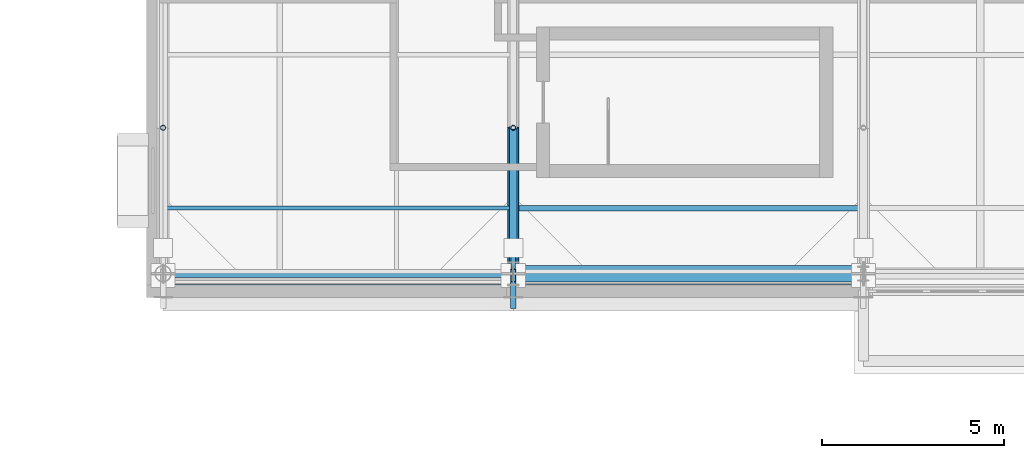
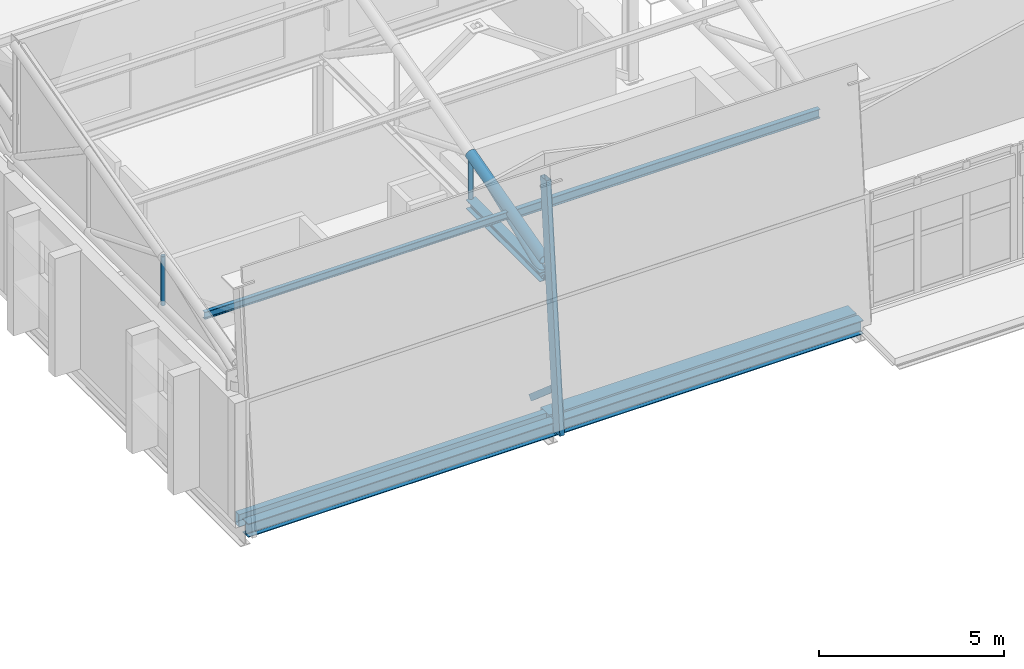
# One storey, part 14 of 89: 9 members, 4 beams.
"""IFC4 building model written with IfcOpenShell, lengths in metres."""

from ifc_helpers import new_model, si_unit, direction, frame, origin, origin_2d, place, context, subcontext, project, spatial, rectangle, hollow_rectangle, hollow_circle, i_section, extrude, material, material_profile, profile_set, type_object, element, save


model = new_model("IFC4")

# Units and contexts
model_context = context("Model", 3, precision=1e-05, world=origin(), true_north=direction((0.0, 1.0)))
body_context = subcontext(model_context, "Body", "Model", "MODEL_VIEW")
ifc_project = project(units=[si_unit("LENGTHUNIT", "METRE"), si_unit("AREAUNIT", "SQUARE_METRE"), si_unit("VOLUMEUNIT", "CUBIC_METRE"), si_unit("PLANEANGLEUNIT", "RADIAN"), si_unit("MASSUNIT", "GRAM", prefix="KILO")], contexts=[model_context])

# Site, building, storey
site_placement = place(None, origin())
site = spatial("IfcSite", under=ifc_project, at=site_placement, CompositionType="ELEMENT")
building_placement = place(site_placement, origin())
building = spatial("IfcBuilding", under=site, at=building_placement, Name="Zereglee Splitstone Museum", CompositionType="ELEMENT")
storey_placement = place(building_placement, frame((0.0, 0.0, 21.300048828125)))
storey = spatial("IfcBuildingStorey", under=building, at=storey_placement, Name="L04", CompositionType="ELEMENT", Elevation=21.300048828125)

# Members
ifc_material_1 = material(Name="Steel S355J2H", Category="steel")
ifc_material_profile_1 = material_profile(ifc_material_1, hollow_circle(Radius=0.109619140625, WallThickness=0.010009765625, at=origin_2d()), Name="CHS 219.1x10")
ifc_profile_set_1 = profile_set([ifc_material_profile_1], Name="Steel S355J2H")
member_type_1 = type_object("IfcMemberType", Name="TB-03", PredefinedType="BRACE", material=ifc_profile_set_1)
member_1_placement = place(storey_placement, frame((87.60009765625, 9.60009765625, 4.199951171875), z_axis=(0.0, 0.927136001435, 0.374725012299), x_axis=(-1.0, 0.0, 0.0)))
element("IfcMember", 1, at=member_1_placement, inside=storey, type_object=member_type_1, Name="Roof Truss ST-02 Diagonal 1.1", PredefinedType="BRACE", context=body_context, shape_type="SweptSolid", body=[
    extrude(hollow_circle(Radius=0.109619140625, WallThickness=0.010009765625, at=origin_2d()), origin(), (0.0, 0.0, 1.0), 4.314453125),
])
ifc_material_profile_2 = material_profile(ifc_material_1, hollow_circle(Radius=0.161865234375, WallThickness=0.01611328125, at=origin_2d()), Name="CHS 323.9x16")
ifc_profile_set_2 = profile_set([ifc_material_profile_2], Name="Steel S355J2H")
member_type_2 = type_object("IfcMemberType", Name="TC-05", PredefinedType="CHORD", material=ifc_profile_set_2)
member_2_placement = place(storey_placement, frame((87.60009765625, 9.60009765625, 4.75), z_axis=(0.0, 0.966235918422, 0.257658979955), x_axis=(-1.0, 0.0, 0.0)))
element("IfcMember", 2, at=member_2_placement, inside=storey, type_object=member_type_2, Name="Roof Truss ST-02 Top Chord 1.1", PredefinedType="CHORD", context=body_context, shape_type="SweptSolid", body=[
    extrude(hollow_circle(Radius=0.161865234375, WallThickness=0.01611328125, at=origin_2d()), origin(), (0.0, 0.0, 1.0), 4.139892578125),
])
ifc_material_2 = material(Name="Steel S355J2", Category="steel")
ifc_material_profile_3 = material_profile(ifc_material_2, i_section(OverallWidth=0.300048828125, OverallDepth=0.300048828125, WebThickness=0.010986328125, FlangeThickness=0.01904296875, FilletRadius=0.027099609375, at=origin_2d()), Name="HE 300 B")
ifc_profile_set_3 = profile_set([ifc_material_profile_3], Name="Steel S355J2")
member_type_3 = type_object("IfcMemberType", Name="TC-07", PredefinedType="CHORD", material=ifc_profile_set_3)
member_3_placement = place(storey_placement, frame((87.60009765625, 9.60009765625, 4.199951171875), z_axis=(0.0, 1.0, 0.0), x_axis=(-1.0, 0.0, 0.0)))
element("IfcMember", 3, at=member_3_placement, inside=storey, type_object=member_type_3, Name="Roof Truss ST-02 Bottom Chord 1.1", PredefinedType="CHORD", context=body_context, shape_type="SweptSolid", body=[
    extrude(i_section(OverallWidth=0.300048828125, OverallDepth=0.300048828125, WebThickness=0.010986328125, FlangeThickness=0.01904296875, FilletRadius=0.027099609375, at=origin_2d()), origin(), (0.0, 0.0, 1.0), 4.0),
])
ifc_material_profile_4 = material_profile(ifc_material_1, hollow_circle(Radius=0.06982421875, WallThickness=0.008056640625, at=origin_2d()), Name="CHS 139.7x8")
ifc_profile_set_4 = profile_set([ifc_material_profile_4], Name="Steel S355J2H")
member_type_4 = type_object("IfcMemberType", Name="TP-03", PredefinedType="POST", material=ifc_profile_set_4)
for number, where, z_axis, x_axis, name in (
    (4, (78.0, 13.60009765625, 4.199951171875), (0.0, 0.0, 1.0), (1.0, 0.0, 0.0), "Roof Truss ST-01 Post 1.1"),
    (5, (87.60009765625, 13.60009765625, 4.199951171875), (0.0, 0.0, 1.0), (1.0, 0.0, 0.0), "Roof Truss ST-02 Post 1.1"),
):
    element("IfcMember", number, at=place(storey_placement, frame(where, z_axis=z_axis, x_axis=x_axis)), inside=storey, type_object=member_type_4, Name=name, PredefinedType="POST", context=body_context, shape_type="SweptSolid", body=[
        extrude(hollow_circle(Radius=0.06982421875, WallThickness=0.008056640625, at=origin_2d()), origin(), (0.0, 0.0, 1.0), 1.61669921875),
    ])
ifc_material_profile_5 = material_profile(ifc_material_2, i_section(OverallWidth=0.1201171875, OverallDepth=0.239990234375, WebThickness=0.006103515625, FlangeThickness=0.009765625, FilletRadius=0.014892578125, at=origin_2d()), Name="IPE 240")
ifc_profile_set_5 = profile_set([ifc_material_profile_5], Name="Steel S355J2")
member_type_5 = type_object("IfcMemberType", Name="PR-03", PredefinedType="PURLIN", material=ifc_profile_set_5)
member_4_placement = place(storey_placement, frame((78.0, 11.39990234375, 5.18408203125), z_axis=(1.0, 0.0, 0.0), x_axis=(0.0, 1.0, 0.0)))
element("IfcMember", 6, at=member_4_placement, inside=storey, type_object=member_type_5, Name="Sawtooth Roof Purlin B1-S1-1", PredefinedType="PURLIN", context=body_context, shape_type="SweptSolid", body=[
    extrude(i_section(OverallWidth=0.1201171875, OverallDepth=0.239990234375, WebThickness=0.006103515625, FlangeThickness=0.009765625, FilletRadius=0.014892578125, at=origin_2d()), origin(), (0.0, 0.0, 1.0), 9.60009765625),
])
ifc_material_profile_6 = material_profile(ifc_material_2, i_section(OverallWidth=0.14990234375, OverallDepth=0.300048828125, WebThickness=0.007080078125, FlangeThickness=0.0107421875, FilletRadius=0.014892578125, at=origin_2d()), Name="IPE 300")
ifc_profile_set_6 = profile_set([ifc_material_profile_6], Name="Steel S355J2")
member_type_6 = type_object("IfcMemberType", Name="PR-01", PredefinedType="PURLIN", material=ifc_profile_set_6)
member_5_placement = place(storey_placement, frame((87.60009765625, 11.39990234375, 5.153076171875), z_axis=(1.0, 0.0, 0.0), x_axis=(0.0, 1.0, 0.0)))
element("IfcMember", 7, at=member_5_placement, inside=storey, type_object=member_type_6, Name="Sawtooth Roof Purlin B2-S1-1", PredefinedType="PURLIN", context=body_context, shape_type="SweptSolid", body=[
    extrude(i_section(OverallWidth=0.14990234375, OverallDepth=0.300048828125, WebThickness=0.007080078125, FlangeThickness=0.0107421875, FilletRadius=0.014892578125, at=origin_2d()), origin(), (0.0, 0.0, 1.0), 9.599853515625),
])

# Beams
ifc_material_profile_7 = material_profile(ifc_material_2, i_section(OverallWidth=0.300048828125, OverallDepth=0.449951171875, WebThickness=0.013916015625, FlangeThickness=0.02587890625, FilletRadius=0.027099609375, at=origin_2d()), Name="HE 450 B")
ifc_profile_set_7 = profile_set([ifc_material_profile_7], Name="Steel S355J2")
beam_type_1 = type_object("IfcBeamType", Name="SP-02", PredefinedType="SPANDREL", material=ifc_profile_set_7)
beam_1_placement = place(storey_placement, frame((78.0, 9.14990234375, -0.485107421875), z_axis=(1.0, 0.0, 0.0), x_axis=(0.0, 1.0, 0.0)))
element("IfcBeam", 8, at=beam_1_placement, inside=storey, type_object=beam_type_1, Name="Hovering Soffit Spandrel L04 (78.0-87.6)", PredefinedType="SPANDREL", context=body_context, shape_type="SweptSolid", body=[
    extrude(i_section(OverallWidth=0.300048828125, OverallDepth=0.449951171875, WebThickness=0.013916015625, FlangeThickness=0.02587890625, FilletRadius=0.027099609375, at=origin_2d()), origin(), (0.0, 0.0, 1.0), 9.60009765625),
])
beam_2_placement = place(storey_placement, frame((87.60009765625, 9.14990234375, -0.485107421875), z_axis=(1.0, 0.0, 0.0), x_axis=(0.0, 1.0, 0.0)))
element("IfcBeam", 9, at=beam_2_placement, inside=storey, type_object=beam_type_1, Name="Hovering Soffit Spandrel L04 (87.6-97.2)", PredefinedType="SPANDREL", context=body_context, shape_type="SweptSolid", body=[
    extrude(i_section(OverallWidth=0.300048828125, OverallDepth=0.449951171875, WebThickness=0.013916015625, FlangeThickness=0.02587890625, FilletRadius=0.027099609375, at=origin_2d()), origin(), (0.0, 0.0, 1.0), 9.599853515625),
])
ifc_material_3 = material(Name="Concrete C40/50", Category="concrete")
ifc_material_profile_8 = material_profile(ifc_material_3, rectangle(XDim=0.449951171875, YDim=0.75, at=origin_2d()), Name="RC 450x750")
ifc_profile_set_8 = profile_set([ifc_material_profile_8], Name="Concrete C40/50")
beam_type_2 = type_object("IfcBeamType", Name="SP-01", PredefinedType="SPANDREL", material=ifc_profile_set_8)
beam_3_placement = place(storey_placement, frame((87.60009765625, 9.60009765625, -0.635009765625), z_axis=(1.0, 0.0, 0.0), x_axis=(0.0, 1.0, 0.0)))
element("IfcBeam", 10, at=beam_3_placement, inside=storey, type_object=beam_type_2, Name="Primary Girder L04 B (87.6-97.2)", PredefinedType="SPANDREL", context=body_context, shape_type="SweptSolid", body=[
    extrude(rectangle(XDim=0.449951171875, YDim=0.75, at=origin_2d()), origin(), (0.0, 0.0, 1.0), 9.599853515625),
])
ifc_material_profile_9 = material_profile(ifc_material_1, hollow_rectangle(XDim=0.199951171875, YDim=0.39990234375, WallThickness=0.01611328125, at=origin_2d()), Name="RHS 400x200x16")
ifc_profile_set_9 = profile_set([ifc_material_profile_9], Name="Steel S355J2H")
beam_type_3 = type_object("IfcBeamType", Name="SP-04", PredefinedType="SPANDREL", material=ifc_profile_set_9)
beam_4_placement = place(storey_placement, frame((78.0, 9.60009765625, -0.4599609375), z_axis=(1.0, 0.0, 0.0), x_axis=(0.0, 1.0, 0.0)))
element("IfcBeam", 11, at=beam_4_placement, inside=storey, type_object=beam_type_3, Name="Primary Girder L04 B (78.0-87.6)", PredefinedType="SPANDREL", context=body_context, shape_type="SweptSolid", body=[
    extrude(hollow_rectangle(XDim=0.199951171875, YDim=0.39990234375, WallThickness=0.01611328125, at=origin_2d()), origin(), (0.0, 0.0, 1.0), 9.60009765625),
])

# Members
ifc_material_profile_10 = material_profile(ifc_material_1, hollow_rectangle(XDim=0.14990234375, YDim=0.35009765625, WallThickness=0.012451171875, at=origin_2d()), Name="RHS 350x150x12.5")
ifc_profile_set_10 = profile_set([ifc_material_profile_10], Name="Steel S355J2H")
member_type_7 = type_object("IfcMemberType", Name="FS-R0", PredefinedType="STRUT", material=ifc_profile_set_10)
member_6_placement = place(storey_placement, frame((87.60009765625, 8.8232421875, -0.510009765625), z_axis=(0.0, 0.090892411904, 0.995860717901), x_axis=(-1.0, 0.0, 0.0)))
element("IfcMember", 12, at=member_6_placement, inside=storey, type_object=member_type_7, Name="Split-Rock Continuous Facet Strut FH-V2SW L04-02", PredefinedType="STRUT", context=body_context, shape_type="SweptSolid", body=[
    extrude(hollow_rectangle(XDim=0.14990234375, YDim=0.35009765625, WallThickness=0.012451171875, at=origin_2d()), origin(), (0.0, 0.0, 1.0), 8.023193359375),
])
ifc_material_profile_11 = material_profile(ifc_material_1, hollow_rectangle(XDim=0.1201171875, YDim=0.199951171875, WallThickness=0.008056640625, at=origin_2d()), Name="RHS 200x120x8")
ifc_profile_set_11 = profile_set([ifc_material_profile_11], Name="Steel S355J2H")
member_type_8 = type_object("IfcMemberType", Name="FS-T1", PredefinedType="STRUT", material=ifc_profile_set_11)
member_7_placement = place(storey_placement, frame((87.60009765625, 10.300048828125, -0.219970703125), z_axis=(0.0, -0.757166062891, 0.65322243777), x_axis=(1.0, 0.0, 0.0)))
element("IfcMember", 13, at=member_7_placement, inside=storey, type_object=member_type_8, Name="Facet Tie-Back Strut FH-V2SW L04-02", PredefinedType="STRUT", context=body_context, shape_type="SweptSolid", body=[
    extrude(hollow_rectangle(XDim=0.1201171875, YDim=0.199951171875, WallThickness=0.008056640625, at=origin_2d()), origin(), (0.0, 0.0, 1.0), 1.775634765625),
])

save(model, "model.ifc")
